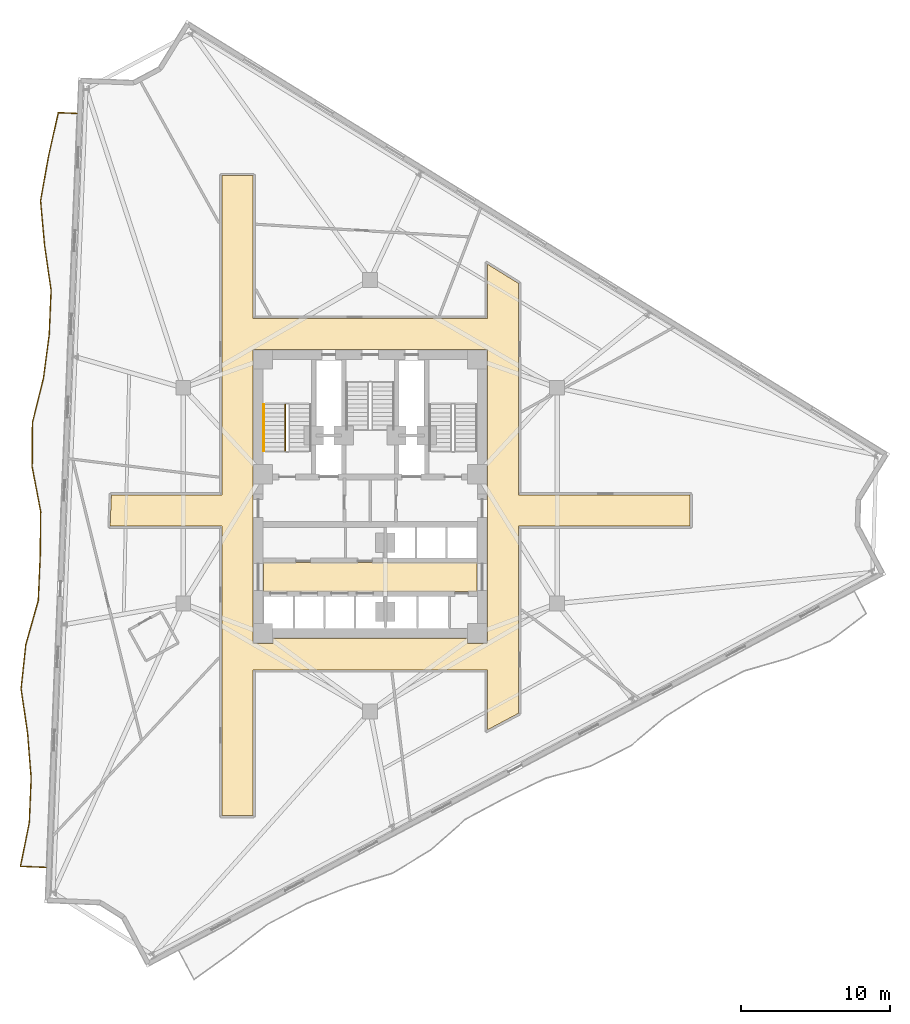
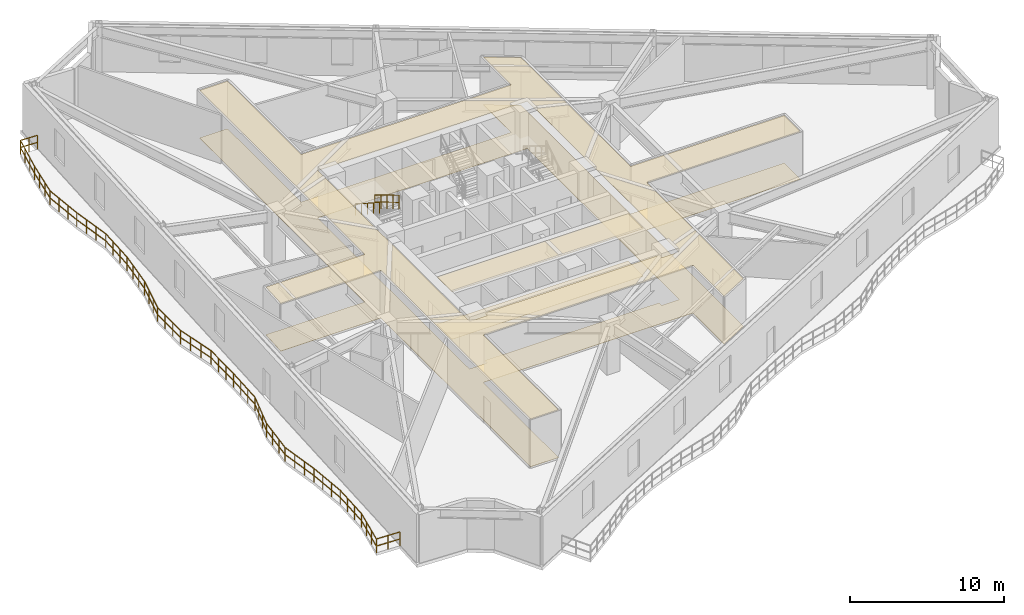
# One storey, part 10 of 11: 4 coverings, 3 railings.
"""IFC4 building model written with IfcOpenShell, lengths in metres."""

from ifc_helpers import new_model, si_unit, direction, frame, origin, origin_2d, place, context, subcontext, project, spatial, polyline, rectangle, outline, extrude, material, layer, layer_set, type_object, element, save


model = new_model("IFC4")

# Units and contexts
model_context = context("Model", 3, precision=1e-05, world=origin(), true_north=direction((0.0, 1.0)))
body_context = subcontext(model_context, "Body", "Model", "MODEL_VIEW")
ifc_project = project(units=[si_unit("LENGTHUNIT", "METRE"), si_unit("AREAUNIT", "SQUARE_METRE"), si_unit("VOLUMEUNIT", "CUBIC_METRE"), si_unit("PLANEANGLEUNIT", "RADIAN"), si_unit("MASSUNIT", "GRAM", prefix="KILO")], contexts=[model_context])

# Site, building, storey
site_placement = place(None, origin())
site = spatial("IfcSite", under=ifc_project, at=site_placement, CompositionType="ELEMENT")
building_placement = place(site_placement, origin())
building = spatial("IfcBuilding", under=site, at=building_placement, Name="Apsidion Concourse Tower", CompositionType="ELEMENT")
storey_placement = place(building_placement, frame((0.0, 0.0, 169.60009765625)))
storey = spatial("IfcBuildingStorey", under=building, at=storey_placement, Name="L39", CompositionType="ELEMENT", Elevation=169.60009765625)

# Coverings
ifc_material_1 = material(Name="Acoustic mineral fibre ceiling")
ifc_layer_1 = layer(ifc_material_1, 0.0400390625)
ifc_layer_set_1 = layer_set([ifc_layer_1], Name="Acoustic mineral fibre ceiling")
covering_type_1 = type_object("IfcCoveringType", Name="COV-CEIL-40", PredefinedType="CEILING", material=ifc_layer_set_1)
covering_1_placement = place(storey_placement, frame((0.0, 0.0, 3.75)))
element("IfcCovering", 1, at=covering_1_placement, inside=storey, type_object=covering_type_1, Name="L39 Acoustic Ceiling Grid 1", PredefinedType="CEILING", context=body_context, shape_type="SweptSolid", body=[
    extrude(outline(polyline([(-7.179931640625, -6.449951171875), (-7.179931640625, -4.47998046875), (7.179931640625, -4.47998046875), (7.179931640625, -6.449951171875), (-7.179931640625, -6.449951171875)])), origin(), (0.0, 0.0, 1.0), 0.039794921875),
])
covering_2_placement = place(storey_placement, frame((0.0, 0.0, 3.75)))
element("IfcCovering", 2, at=covering_2_placement, inside=storey, type_object=covering_type_1, Name="L39 Acoustic Ceiling Grid 2", PredefinedType="CEILING", context=body_context, shape_type="SweptSolid", body=[
    extrude(outline(polyline([(9.969970703125, -14.620849609375), (7.8701171875, -15.7373046875), (7.8701171875, -11.695068359375), (-7.8701171875, -11.695068359375), (-7.8701171875, -21.5), (-9.969970703125, -21.5), (-9.969970703125, -11.695068359375), (-9.969970703125, -2.050048828125), (-17.47314453125, -2.050048828125), (-17.387451171875, 0.050048828125), (-9.969970703125, 0.050048828125), (-9.969970703125, 11.919921875), (-9.969970703125, 21.5), (-7.8701171875, 21.5), (-7.8701171875, 11.919921875), (7.8701171875, 11.919921875), (7.8701171875, 15.559814453125), (9.969970703125, 14.264892578125), (9.969970703125, 11.919921875), (9.969970703125, 0.050048828125), (21.5, 0.050048828125), (21.5, -2.050048828125), (9.969970703125, -2.050048828125), (9.969970703125, -11.695068359375), (9.969970703125, -14.620849609375)]), holes=[polyline([(7.8701171875, -8.60009765625), (7.8701171875, -2.050048828125), (7.8701171875, 0.050048828125), (7.8701171875, 0.800048828125), (7.8701171875, 2.10009765625), (7.8701171875, 8.5), (7.8701171875, 9.800048828125), (7.8701171875, 9.820068359375), (7.85009765625, 9.820068359375), (6.550048828125, 9.820068359375), (-6.550048828125, 9.820068359375), (-7.85009765625, 9.820068359375), (-7.8701171875, 9.820068359375), (-7.8701171875, 9.800048828125), (-7.8701171875, 8.5), (-7.8701171875, 2.10009765625), (-7.8701171875, 0.800048828125), (-7.8701171875, 0.050048828125), (-7.8701171875, -2.050048828125), (-7.8701171875, -8.60009765625), (-7.8701171875, -9.594970703125), (-7.8701171875, -9.89990234375), (-7.869873046875, -9.902099609375), (-7.86962890625, -9.90380859375), (-7.869140625, -9.90576171875), (-7.868408203125, -9.90771484375), (-7.86767578125, -9.909423828125), (-7.86669921875, -9.9111328125), (-7.865478515625, -9.91259765625), (-7.864013671875, -9.9140625), (-7.86279296875, -9.91552734375), (-7.861083984375, -9.91650390625), (-7.859375, -9.91748046875), (-7.857666015625, -9.91845703125), (-7.855712890625, -9.919189453125), (-7.85400390625, -9.919677734375), (-7.85205078125, -9.919921875), (-7.85009765625, -9.919921875), (-6.550048828125, -9.919921875), (-6.548095703125, -9.919921875), (-6.546142578125, -9.919677734375), (-6.544189453125, -9.919189453125), (-6.542236328125, -9.91845703125), (-6.54052734375, -9.91748046875), (-6.538818359375, -9.91650390625), (-6.537353515625, -9.91552734375), (-6.535888671875, -9.9140625), (-6.534423828125, -9.91259765625), (-6.533447265625, -9.9111328125), (-6.532470703125, -9.909423828125), (-6.531494140625, -9.90771484375), (-6.531005859375, -9.90576171875), (-6.530517578125, -9.90380859375), (-6.530029296875, -9.902099609375), (-6.530029296875, -9.89990234375), (-6.530029296875, -9.594970703125), (6.530029296875, -9.594970703125), (6.530029296875, -9.89990234375), (6.530029296875, -9.902099609375), (6.530517578125, -9.90380859375), (6.531005859375, -9.90576171875), (6.531494140625, -9.90771484375), (6.532470703125, -9.909423828125), (6.533447265625, -9.9111328125), (6.534423828125, -9.91259765625), (6.535888671875, -9.9140625), (6.537353515625, -9.91552734375), (6.538818359375, -9.91650390625), (6.54052734375, -9.91748046875), (6.542236328125, -9.91845703125), (6.544189453125, -9.919189453125), (6.546142578125, -9.919677734375), (6.548095703125, -9.919921875), (6.550048828125, -9.919921875), (7.85009765625, -9.919921875), (7.85205078125, -9.919921875), (7.85400390625, -9.919677734375), (7.855712890625, -9.919189453125), (7.857666015625, -9.91845703125), (7.859375, -9.91748046875), (7.861083984375, -9.91650390625), (7.86279296875, -9.91552734375), (7.864013671875, -9.9140625), (7.865478515625, -9.91259765625), (7.86669921875, -9.9111328125), (7.86767578125, -9.909423828125), (7.868408203125, -9.90771484375), (7.869140625, -9.90576171875), (7.86962890625, -9.90380859375), (7.869873046875, -9.902099609375), (7.8701171875, -9.89990234375), (7.8701171875, -9.594970703125), (7.8701171875, -8.60009765625)])]), origin(), (0.0, 0.0, 1.0), 0.039794921875),
])
ifc_material_2 = material(Name="Honed travertine floor finish", Category="masonry")
ifc_layer_2 = layer(ifc_material_2, 0.02001953125)
ifc_layer_set_2 = layer_set([ifc_layer_2], Name="Honed travertine floor finish")
covering_type_2 = type_object("IfcCoveringType", Name="COV-FLOR-20", PredefinedType="FLOORING", material=ifc_layer_set_2)
covering_3_placement = place(storey_placement, origin())
element("IfcCovering", 3, at=covering_3_placement, inside=storey, type_object=covering_type_2, Name="L39 Honed Travertine Floor Finish 1", PredefinedType="FLOORING", context=body_context, shape_type="SweptSolid", body=[
    extrude(outline(polyline([(-7.179931640625, -6.449951171875), (-7.179931640625, -4.47998046875), (7.179931640625, -4.47998046875), (7.179931640625, -6.449951171875), (-7.179931640625, -6.449951171875)])), origin(), (0.0, 0.0, 1.0), 0.02001953125),
])
covering_4_placement = place(storey_placement, origin())
element("IfcCovering", 4, at=covering_4_placement, inside=storey, type_object=covering_type_2, Name="L39 Honed Travertine Floor Finish 2", PredefinedType="FLOORING", context=body_context, shape_type="SweptSolid", body=[
    extrude(outline(polyline([(9.969970703125, -14.620849609375), (7.8701171875, -15.7373046875), (7.8701171875, -11.695068359375), (-7.8701171875, -11.695068359375), (-7.8701171875, -21.5), (-9.969970703125, -21.5), (-9.969970703125, -11.695068359375), (-9.969970703125, -2.050048828125), (-17.47314453125, -2.050048828125), (-17.387451171875, 0.050048828125), (-9.969970703125, 0.050048828125), (-9.969970703125, 11.919921875), (-9.969970703125, 21.5), (-7.8701171875, 21.5), (-7.8701171875, 11.919921875), (7.8701171875, 11.919921875), (7.8701171875, 15.559814453125), (9.969970703125, 14.264892578125), (9.969970703125, 11.919921875), (9.969970703125, 0.050048828125), (21.5, 0.050048828125), (21.5, -2.050048828125), (9.969970703125, -2.050048828125), (9.969970703125, -11.695068359375), (9.969970703125, -14.620849609375)]), holes=[polyline([(7.8701171875, -8.60009765625), (7.8701171875, -2.050048828125), (7.8701171875, 0.050048828125), (7.8701171875, 0.800048828125), (7.8701171875, 2.10009765625), (7.8701171875, 8.5), (7.8701171875, 9.800048828125), (7.8701171875, 9.820068359375), (7.85009765625, 9.820068359375), (6.550048828125, 9.820068359375), (-6.550048828125, 9.820068359375), (-7.85009765625, 9.820068359375), (-7.8701171875, 9.820068359375), (-7.8701171875, 9.800048828125), (-7.8701171875, 8.5), (-7.8701171875, 2.10009765625), (-7.8701171875, 0.800048828125), (-7.8701171875, 0.050048828125), (-7.8701171875, -2.050048828125), (-7.8701171875, -8.60009765625), (-7.8701171875, -9.594970703125), (-7.8701171875, -9.89990234375), (-7.869873046875, -9.902099609375), (-7.86962890625, -9.90380859375), (-7.869140625, -9.90576171875), (-7.868408203125, -9.90771484375), (-7.86767578125, -9.909423828125), (-7.86669921875, -9.9111328125), (-7.865478515625, -9.91259765625), (-7.864013671875, -9.9140625), (-7.86279296875, -9.91552734375), (-7.861083984375, -9.91650390625), (-7.859375, -9.91748046875), (-7.857666015625, -9.91845703125), (-7.855712890625, -9.919189453125), (-7.85400390625, -9.919677734375), (-7.85205078125, -9.919921875), (-7.85009765625, -9.919921875), (-6.550048828125, -9.919921875), (-6.548095703125, -9.919921875), (-6.546142578125, -9.919677734375), (-6.544189453125, -9.919189453125), (-6.542236328125, -9.91845703125), (-6.54052734375, -9.91748046875), (-6.538818359375, -9.91650390625), (-6.537353515625, -9.91552734375), (-6.535888671875, -9.9140625), (-6.534423828125, -9.91259765625), (-6.533447265625, -9.9111328125), (-6.532470703125, -9.909423828125), (-6.531494140625, -9.90771484375), (-6.531005859375, -9.90576171875), (-6.530517578125, -9.90380859375), (-6.530029296875, -9.902099609375), (-6.530029296875, -9.89990234375), (-6.530029296875, -9.594970703125), (6.530029296875, -9.594970703125), (6.530029296875, -9.89990234375), (6.530029296875, -9.902099609375), (6.530517578125, -9.90380859375), (6.531005859375, -9.90576171875), (6.531494140625, -9.90771484375), (6.532470703125, -9.909423828125), (6.533447265625, -9.9111328125), (6.534423828125, -9.91259765625), (6.535888671875, -9.9140625), (6.537353515625, -9.91552734375), (6.538818359375, -9.91650390625), (6.54052734375, -9.91748046875), (6.542236328125, -9.91845703125), (6.544189453125, -9.919189453125), (6.546142578125, -9.919677734375), (6.548095703125, -9.919921875), (6.550048828125, -9.919921875), (7.85009765625, -9.919921875), (7.85205078125, -9.919921875), (7.85400390625, -9.919677734375), (7.855712890625, -9.919189453125), (7.857666015625, -9.91845703125), (7.859375, -9.91748046875), (7.861083984375, -9.91650390625), (7.86279296875, -9.91552734375), (7.864013671875, -9.9140625), (7.865478515625, -9.91259765625), (7.86669921875, -9.9111328125), (7.86767578125, -9.909423828125), (7.868408203125, -9.90771484375), (7.869140625, -9.90576171875), (7.86962890625, -9.90380859375), (7.869873046875, -9.902099609375), (7.8701171875, -9.89990234375), (7.8701171875, -9.594970703125), (7.8701171875, -8.60009765625)])]), origin(), (0.0, 0.0, 1.0), 0.02001953125),
])

# Railings
ifc_material_3 = material(Name="Brushed stainless steel 316", Category="steel")
railing_type_1 = type_object("IfcRailingType", Name="RL-BAL-1120", PredefinedType="BALUSTRADE", material=ifc_material_3)
railing_1_placement = place(storey_placement, frame((-21.777587890625, -24.97802734375, 0.0)))
element("IfcRailing", 5, at=railing_1_placement, inside=storey, type_object=railing_type_1, Name="L39 Face 1 Rippling Balcony Balustrade", PredefinedType="BALUSTRADE", context=body_context, shape_type="SweptSolid", body=[
    extrude(rectangle(XDim=0.048095703125, YDim=0.048095703125, at=origin_2d()), frame((0.0, 0.0, 1.09619140625), z_axis=(-0.999166760728, 0.040814020332, 0.0), x_axis=(-0.040814020332, -0.999166760728, 0.0)), (0.0, 0.0, 1.0), 1.728759765625),
    extrude(rectangle(XDim=0.048095703125, YDim=0.048095703125, at=origin_2d()), frame((0.0, 0.0, 0.5361328125), z_axis=(-0.999166760728, 0.040814020332, 0.0), x_axis=(-0.040814020332, -0.999166760728, 0.0)), (0.0, 0.0, 1.0), 1.728759765625),
    extrude(rectangle(XDim=0.048095703125, YDim=0.048095703125, at=origin_2d()), frame((-1.727294921875, 0.070556640625, 1.09619140625), z_axis=(0.198633057408, 0.980073930122, 0.0), x_axis=(-0.980073930122, 0.198633057408, 0.0)), (0.0, 0.0, 1.0), 3.021240234375),
    extrude(rectangle(XDim=0.048095703125, YDim=0.048095703125, at=origin_2d()), frame((-1.727294921875, 0.070556640625, 0.5361328125), z_axis=(0.198633057408, 0.980073930122, 0.0), x_axis=(-0.980073930122, 0.198633057408, 0.0)), (0.0, 0.0, 1.0), 3.021240234375),
    extrude(rectangle(XDim=0.048095703125, YDim=0.048095703125, at=origin_2d()), frame((-1.127197265625, 3.031494140625, 1.09619140625), z_axis=(0.040840733039, 0.999165669209, 0.0), x_axis=(-0.999165669209, 0.040840733039, 0.0)), (0.0, 0.0, 1.0), 2.98291015625),
    extrude(rectangle(XDim=0.048095703125, YDim=0.048095703125, at=origin_2d()), frame((-1.127197265625, 3.031494140625, 0.5361328125), z_axis=(0.040840733039, 0.999165669209, 0.0), x_axis=(-0.999165669209, 0.040840733039, 0.0)), (0.0, 0.0, 1.0), 2.98291015625),
    extrude(rectangle(XDim=0.048095703125, YDim=0.048095703125, at=origin_2d()), frame((-1.00537109375, 6.011962890625, 1.09619140625), z_axis=(-0.07946747921, 0.996837459041, 0.0), x_axis=(-0.996837459041, -0.07946747921, 0.0)), (0.0, 0.0, 1.0), 3.004638671875),
    extrude(rectangle(XDim=0.048095703125, YDim=0.048095703125, at=origin_2d()), frame((-1.00537109375, 6.011962890625, 0.5361328125), z_axis=(-0.07946747921, 0.996837459041, 0.0), x_axis=(-0.996837459041, -0.07946747921, 0.0)), (0.0, 0.0, 1.0), 3.004638671875),
    extrude(rectangle(XDim=0.048095703125, YDim=0.048095703125, at=origin_2d()), frame((-1.244140625, 9.007080078125, 1.09619140625), z_axis=(-0.14390976799, 0.989590813759, 0.0), x_axis=(-0.989590813759, -0.14390976799, 0.0)), (0.0, 0.0, 1.0), 3.034912109375),
    extrude(rectangle(XDim=0.048095703125, YDim=0.048095703125, at=origin_2d()), frame((-1.244140625, 9.007080078125, 0.5361328125), z_axis=(-0.14390976799, 0.989590813759, 0.0), x_axis=(-0.989590813759, -0.14390976799, 0.0)), (0.0, 0.0, 1.0), 3.034912109375),
    extrude(rectangle(XDim=0.048095703125, YDim=0.048095703125, at=origin_2d()), frame((-1.680908203125, 12.010498046875, 1.09619140625), z_axis=(0.107060780142, 0.994252477671, 0.0), x_axis=(-0.994252477671, 0.107060780142, 0.0)), (0.0, 0.0, 1.0), 2.989501953125),
    extrude(rectangle(XDim=0.048095703125, YDim=0.048095703125, at=origin_2d()), frame((-1.680908203125, 12.010498046875, 0.5361328125), z_axis=(0.107060780142, 0.994252477671, 0.0), x_axis=(-0.994252477671, 0.107060780142, 0.0)), (0.0, 0.0, 1.0), 2.989501953125),
    extrude(rectangle(XDim=0.048095703125, YDim=0.048095703125, at=origin_2d()), frame((-1.36083984375, 14.98291015625, 1.09619140625), z_axis=(0.272144481349, 0.962256401003, 0.0), x_axis=(-0.962256401003, 0.272144481349, 0.0)), (0.0, 0.0, 1.0), 3.067138671875),
    extrude(rectangle(XDim=0.048095703125, YDim=0.048095703125, at=origin_2d()), frame((-1.36083984375, 14.98291015625, 0.5361328125), z_axis=(0.272144481349, 0.962256401003, 0.0), x_axis=(-0.962256401003, 0.272144481349, 0.0)), (0.0, 0.0, 1.0), 3.067138671875),
    extrude(rectangle(XDim=0.048095703125, YDim=0.048095703125, at=origin_2d()), frame((-0.526123046875, 17.934326171875, 1.09619140625), z_axis=(0.043380392649, 0.999058627676, 0.0), x_axis=(-0.999058627676, 0.043380392649, 0.0)), (0.0, 0.0, 1.0), 2.98291015625),
    extrude(rectangle(XDim=0.048095703125, YDim=0.048095703125, at=origin_2d()), frame((-0.526123046875, 17.934326171875, 0.5361328125), z_axis=(0.043380392649, 0.999058627676, 0.0), x_axis=(-0.999058627676, 0.043380392649, 0.0)), (0.0, 0.0, 1.0), 2.98291015625),
    extrude(rectangle(XDim=0.048095703125, YDim=0.048095703125, at=origin_2d()), frame((-0.396728515625, 20.914306640625, 1.09619140625), z_axis=(0.011371268343, 0.999935345038, 0.0), x_axis=(-0.999935345038, 0.011371268343, 0.0)), (0.0, 0.0, 1.0), 2.984375),
    extrude(rectangle(XDim=0.048095703125, YDim=0.048095703125, at=origin_2d()), frame((-0.396728515625, 20.914306640625, 0.5361328125), z_axis=(0.011371268343, 0.999935345038, 0.0), x_axis=(-0.999935345038, 0.011371268343, 0.0)), (0.0, 0.0, 1.0), 2.984375),
    extrude(rectangle(XDim=0.048095703125, YDim=0.048095703125, at=origin_2d()), frame((-0.36279296875, 23.8984375, 1.09619140625), z_axis=(-0.187156060867, 0.982330193408, 0.0), x_axis=(-0.982330193408, -0.187156060867, 0.0)), (0.0, 0.0, 1.0), 3.06298828125),
    extrude(rectangle(XDim=0.048095703125, YDim=0.048095703125, at=origin_2d()), frame((-0.36279296875, 23.8984375, 0.5361328125), z_axis=(-0.187156060867, 0.982330193408, 0.0), x_axis=(-0.982330193408, -0.187156060867, 0.0)), (0.0, 0.0, 1.0), 3.06298828125),
    extrude(rectangle(XDim=0.048095703125, YDim=0.048095703125, at=origin_2d()), frame((-0.93603515625, 26.9072265625, 1.09619140625), z_axis=(0.005725409184, 0.999983609711, 0.0), x_axis=(-0.999983609711, 0.005725409184, 0.0)), (0.0, 0.0, 1.0), 2.98486328125),
    extrude(rectangle(XDim=0.048095703125, YDim=0.048095703125, at=origin_2d()), frame((-0.93603515625, 26.9072265625, 0.5361328125), z_axis=(0.005725409184, 0.999983609711, 0.0), x_axis=(-0.999983609711, 0.005725409184, 0.0)), (0.0, 0.0, 1.0), 2.98486328125),
    extrude(rectangle(XDim=0.048095703125, YDim=0.048095703125, at=origin_2d()), frame((-0.9189453125, 29.89208984375, 1.09619140625), z_axis=(0.24153579714, 0.970391909849, 0.0), x_axis=(-0.970391909849, 0.24153579714, 0.0)), (0.0, 0.0, 1.0), 3.04541015625),
    extrude(rectangle(XDim=0.048095703125, YDim=0.048095703125, at=origin_2d()), frame((-0.9189453125, 29.89208984375, 0.5361328125), z_axis=(0.24153579714, 0.970391909849, 0.0), x_axis=(-0.970391909849, 0.24153579714, 0.0)), (0.0, 0.0, 1.0), 3.04541015625),
    extrude(rectangle(XDim=0.048095703125, YDim=0.048095703125, at=origin_2d()), frame((-0.183349609375, 32.847412109375, 1.09619140625), z_axis=(0.131944847382, 0.991257059117, 0.0), x_axis=(-0.991257059117, 0.131944847382, 0.0)), (0.0, 0.0, 1.0), 2.99560546875),
    extrude(rectangle(XDim=0.048095703125, YDim=0.048095703125, at=origin_2d()), frame((-0.183349609375, 32.847412109375, 0.5361328125), z_axis=(0.131944847382, 0.991257059117, 0.0), x_axis=(-0.991257059117, 0.131944847382, 0.0)), (0.0, 0.0, 1.0), 2.99560546875),
    extrude(rectangle(XDim=0.048095703125, YDim=0.048095703125, at=origin_2d()), frame((0.2119140625, 35.81689453125, 1.09619140625), z_axis=(0.040840733039, 0.999165669209, 0.0), x_axis=(-0.999165669209, 0.040840733039, 0.0)), (0.0, 0.0, 1.0), 2.98291015625),
    extrude(rectangle(XDim=0.048095703125, YDim=0.048095703125, at=origin_2d()), frame((0.2119140625, 35.81689453125, 0.5361328125), z_axis=(0.040840733039, 0.999165669209, 0.0), x_axis=(-0.999165669209, 0.040840733039, 0.0)), (0.0, 0.0, 1.0), 2.98291015625),
    extrude(rectangle(XDim=0.048095703125, YDim=0.048095703125, at=origin_2d()), frame((0.333740234375, 38.79736328125, 1.09619140625), z_axis=(-0.14447262822, 0.989508797179, 0.0), x_axis=(-0.989508797179, -0.14447262822, 0.0)), (0.0, 0.0, 1.0), 3.034912109375),
    extrude(rectangle(XDim=0.048095703125, YDim=0.048095703125, at=origin_2d()), frame((0.333740234375, 38.79736328125, 0.5361328125), z_axis=(-0.14447262822, 0.989508797179, 0.0), x_axis=(-0.989508797179, -0.14447262822, 0.0)), (0.0, 0.0, 1.0), 3.034912109375),
    extrude(rectangle(XDim=0.048095703125, YDim=0.048095703125, at=origin_2d()), frame((-0.104736328125, 41.800537109375, 1.09619140625), z_axis=(-0.088779543946, 0.996051300173, 0.0), x_axis=(-0.996051300173, -0.088779543946, 0.0)), (0.0, 0.0, 1.0), 3.008544921875),
    extrude(rectangle(XDim=0.048095703125, YDim=0.048095703125, at=origin_2d()), frame((-0.104736328125, 41.800537109375, 0.5361328125), z_axis=(-0.088779543946, 0.996051300173, 0.0), x_axis=(-0.996051300173, -0.088779543946, 0.0)), (0.0, 0.0, 1.0), 3.008544921875),
    extrude(rectangle(XDim=0.048095703125, YDim=0.048095703125, at=origin_2d()), frame((-0.371826171875, 44.797119140625, 1.09619140625), z_axis=(0.174937245939, 0.984579585398, 0.0), x_axis=(-0.984579585398, 0.174937245939, 0.0)), (0.0, 0.0, 1.0), 3.01025390625),
    extrude(rectangle(XDim=0.048095703125, YDim=0.048095703125, at=origin_2d()), frame((-0.371826171875, 44.797119140625, 0.5361328125), z_axis=(0.174937245939, 0.984579585398, 0.0), x_axis=(-0.984579585398, 0.174937245939, 0.0)), (0.0, 0.0, 1.0), 3.01025390625),
    extrude(rectangle(XDim=0.048095703125, YDim=0.048095703125, at=origin_2d()), frame((0.15478515625, 47.760986328125, 1.09619140625), z_axis=(0.219640554859, 0.975580866285, 0.0), x_axis=(-0.975580866285, 0.219640554859, 0.0)), (0.0, 0.0, 1.0), 3.0322265625),
    extrude(rectangle(XDim=0.048095703125, YDim=0.048095703125, at=origin_2d()), frame((0.15478515625, 47.760986328125, 0.5361328125), z_axis=(0.219640554859, 0.975580866285, 0.0), x_axis=(-0.975580866285, 0.219640554859, 0.0)), (0.0, 0.0, 1.0), 3.0322265625),
    extrude(rectangle(XDim=0.048095703125, YDim=0.048095703125, at=origin_2d()), frame((0.82080078125, 50.71923828125, 1.09619140625), z_axis=(0.999166265244, -0.040826148472, 0.0), x_axis=(0.040826148472, 0.999166265244, 0.0)), (0.0, 0.0, 1.0), 1.249755859375),
    extrude(rectangle(XDim=0.048095703125, YDim=0.048095703125, at=origin_2d()), frame((0.82080078125, 50.71923828125, 0.5361328125), z_axis=(0.999166265244, -0.040826148472, 0.0), x_axis=(0.040826148472, 0.999166265244, 0.0)), (0.0, 0.0, 1.0), 1.249755859375),
    extrude(rectangle(XDim=0.0419921875, YDim=0.0419921875, at=origin_2d()), origin(), (0.0, 0.0, 1.0), 1.072021484375),
    extrude(rectangle(XDim=0.0419921875, YDim=0.0419921875, at=origin_2d()), frame((-0.86376953125, 0.03515625, 0.0)), (0.0, 0.0, 1.0), 1.072021484375),
    extrude(rectangle(XDim=0.0419921875, YDim=0.0419921875, at=origin_2d()), frame((-1.727294921875, 0.070556640625, 0.0)), (0.0, 0.0, 1.0), 1.072021484375),
    extrude(rectangle(XDim=0.0419921875, YDim=0.0419921875, at=origin_2d()), frame((-1.52734375, 1.0576171875, 0.0)), (0.0, 0.0, 1.0), 1.072021484375),
    extrude(rectangle(XDim=0.0419921875, YDim=0.0419921875, at=origin_2d()), frame((-1.3271484375, 2.04443359375, 0.0)), (0.0, 0.0, 1.0), 1.072021484375),
    extrude(rectangle(XDim=0.0419921875, YDim=0.0419921875, at=origin_2d()), frame((-1.127197265625, 3.031494140625, 0.0)), (0.0, 0.0, 1.0), 1.072021484375),
    extrude(rectangle(XDim=0.0419921875, YDim=0.0419921875, at=origin_2d()), frame((-1.086669921875, 4.02490234375, 0.0)), (0.0, 0.0, 1.0), 1.072021484375),
    extrude(rectangle(XDim=0.0419921875, YDim=0.0419921875, at=origin_2d()), frame((-1.0458984375, 5.0185546875, 0.0)), (0.0, 0.0, 1.0), 1.072021484375),
    extrude(rectangle(XDim=0.0419921875, YDim=0.0419921875, at=origin_2d()), frame((-1.00537109375, 6.011962890625, 0.0)), (0.0, 0.0, 1.0), 1.072021484375),
    extrude(rectangle(XDim=0.0419921875, YDim=0.0419921875, at=origin_2d()), frame((-1.0849609375, 7.01025390625, 0.0)), (0.0, 0.0, 1.0), 1.072021484375),
    extrude(rectangle(XDim=0.0419921875, YDim=0.0419921875, at=origin_2d()), frame((-1.16455078125, 8.0087890625, 0.0)), (0.0, 0.0, 1.0), 1.072021484375),
    extrude(rectangle(XDim=0.0419921875, YDim=0.0419921875, at=origin_2d()), frame((-1.244140625, 9.007080078125, 0.0)), (0.0, 0.0, 1.0), 1.072021484375),
    extrude(rectangle(XDim=0.0419921875, YDim=0.0419921875, at=origin_2d()), frame((-1.3896484375, 10.00830078125, 0.0)), (0.0, 0.0, 1.0), 1.072021484375),
    extrude(rectangle(XDim=0.0419921875, YDim=0.0419921875, at=origin_2d()), frame((-1.535400390625, 11.00927734375, 0.0)), (0.0, 0.0, 1.0), 1.072021484375),
    extrude(rectangle(XDim=0.0419921875, YDim=0.0419921875, at=origin_2d()), frame((-1.680908203125, 12.010498046875, 0.0)), (0.0, 0.0, 1.0), 1.072021484375),
    extrude(rectangle(XDim=0.0419921875, YDim=0.0419921875, at=origin_2d()), frame((-1.57421875, 13.001220703125, 0.0)), (0.0, 0.0, 1.0), 1.072021484375),
    extrude(rectangle(XDim=0.0419921875, YDim=0.0419921875, at=origin_2d()), frame((-1.467529296875, 13.9921875, 0.0)), (0.0, 0.0, 1.0), 1.072021484375),
    extrude(rectangle(XDim=0.0419921875, YDim=0.0419921875, at=origin_2d()), frame((-1.36083984375, 14.98291015625, 0.0)), (0.0, 0.0, 1.0), 1.072021484375),
    extrude(rectangle(XDim=0.0419921875, YDim=0.0419921875, at=origin_2d()), frame((-1.08251953125, 15.966796875, 0.0)), (0.0, 0.0, 1.0), 1.072021484375),
    extrude(rectangle(XDim=0.0419921875, YDim=0.0419921875, at=origin_2d()), frame((-0.804443359375, 16.950439453125, 0.0)), (0.0, 0.0, 1.0), 1.072021484375),
    extrude(rectangle(XDim=0.0419921875, YDim=0.0419921875, at=origin_2d()), frame((-0.526123046875, 17.934326171875, 0.0)), (0.0, 0.0, 1.0), 1.072021484375),
    extrude(rectangle(XDim=0.0419921875, YDim=0.0419921875, at=origin_2d()), frame((-0.48291015625, 18.927734375, 0.0)), (0.0, 0.0, 1.0), 1.072021484375),
    extrude(rectangle(XDim=0.0419921875, YDim=0.0419921875, at=origin_2d()), frame((-0.43994140625, 19.9208984375, 0.0)), (0.0, 0.0, 1.0), 1.072021484375),
    extrude(rectangle(XDim=0.0419921875, YDim=0.0419921875, at=origin_2d()), frame((-0.396728515625, 20.914306640625, 0.0)), (0.0, 0.0, 1.0), 1.072021484375),
    extrude(rectangle(XDim=0.0419921875, YDim=0.0419921875, at=origin_2d()), frame((-0.385498046875, 21.908935546875, 0.0)), (0.0, 0.0, 1.0), 1.072021484375),
    extrude(rectangle(XDim=0.0419921875, YDim=0.0419921875, at=origin_2d()), frame((-0.3740234375, 22.90380859375, 0.0)), (0.0, 0.0, 1.0), 1.072021484375),
    extrude(rectangle(XDim=0.0419921875, YDim=0.0419921875, at=origin_2d()), frame((-0.36279296875, 23.8984375, 0.0)), (0.0, 0.0, 1.0), 1.072021484375),
    extrude(rectangle(XDim=0.0419921875, YDim=0.0419921875, at=origin_2d()), frame((-0.553955078125, 24.9013671875, 0.0)), (0.0, 0.0, 1.0), 1.072021484375),
    extrude(rectangle(XDim=0.0419921875, YDim=0.0419921875, at=origin_2d()), frame((-0.744873046875, 25.904296875, 0.0)), (0.0, 0.0, 1.0), 1.072021484375),
    extrude(rectangle(XDim=0.0419921875, YDim=0.0419921875, at=origin_2d()), frame((-0.93603515625, 26.9072265625, 0.0)), (0.0, 0.0, 1.0), 1.072021484375),
    extrude(rectangle(XDim=0.0419921875, YDim=0.0419921875, at=origin_2d()), frame((-0.930419921875, 27.902099609375, 0.0)), (0.0, 0.0, 1.0), 1.072021484375),
    extrude(rectangle(XDim=0.0419921875, YDim=0.0419921875, at=origin_2d()), frame((-0.924560546875, 28.897216796875, 0.0)), (0.0, 0.0, 1.0), 1.072021484375),
    extrude(rectangle(XDim=0.0419921875, YDim=0.0419921875, at=origin_2d()), frame((-0.9189453125, 29.89208984375, 0.0)), (0.0, 0.0, 1.0), 1.072021484375),
    extrude(rectangle(XDim=0.0419921875, YDim=0.0419921875, at=origin_2d()), frame((-0.673828125, 30.877197265625, 0.0)), (0.0, 0.0, 1.0), 1.072021484375),
    extrude(rectangle(XDim=0.0419921875, YDim=0.0419921875, at=origin_2d()), frame((-0.428466796875, 31.8623046875, 0.0)), (0.0, 0.0, 1.0), 1.072021484375),
    extrude(rectangle(XDim=0.0419921875, YDim=0.0419921875, at=origin_2d()), frame((-0.183349609375, 32.847412109375, 0.0)), (0.0, 0.0, 1.0), 1.072021484375),
    extrude(rectangle(XDim=0.0419921875, YDim=0.0419921875, at=origin_2d()), frame((-0.051513671875, 33.837158203125, 0.0)), (0.0, 0.0, 1.0), 1.072021484375),
    extrude(rectangle(XDim=0.0419921875, YDim=0.0419921875, at=origin_2d()), frame((0.080078125, 34.8271484375, 0.0)), (0.0, 0.0, 1.0), 1.072021484375),
    extrude(rectangle(XDim=0.0419921875, YDim=0.0419921875, at=origin_2d()), frame((0.2119140625, 35.81689453125, 0.0)), (0.0, 0.0, 1.0), 1.072021484375),
    extrude(rectangle(XDim=0.0419921875, YDim=0.0419921875, at=origin_2d()), frame((0.25244140625, 36.810302734375, 0.0)), (0.0, 0.0, 1.0), 1.072021484375),
    extrude(rectangle(XDim=0.0419921875, YDim=0.0419921875, at=origin_2d()), frame((0.293212890625, 37.803955078125, 0.0)), (0.0, 0.0, 1.0), 1.072021484375),
    extrude(rectangle(XDim=0.0419921875, YDim=0.0419921875, at=origin_2d()), frame((0.333740234375, 38.79736328125, 0.0)), (0.0, 0.0, 1.0), 1.072021484375),
    extrude(rectangle(XDim=0.0419921875, YDim=0.0419921875, at=origin_2d()), frame((0.1875, 39.79833984375, 0.0)), (0.0, 0.0, 1.0), 1.072021484375),
    extrude(rectangle(XDim=0.0419921875, YDim=0.0419921875, at=origin_2d()), frame((0.04150390625, 40.799560546875, 0.0)), (0.0, 0.0, 1.0), 1.072021484375),
    extrude(rectangle(XDim=0.0419921875, YDim=0.0419921875, at=origin_2d()), frame((-0.104736328125, 41.800537109375, 0.0)), (0.0, 0.0, 1.0), 1.072021484375),
    extrude(rectangle(XDim=0.0419921875, YDim=0.0419921875, at=origin_2d()), frame((-0.19384765625, 42.79931640625, 0.0)), (0.0, 0.0, 1.0), 1.072021484375),
    extrude(rectangle(XDim=0.0419921875, YDim=0.0419921875, at=origin_2d()), frame((-0.28271484375, 43.79833984375, 0.0)), (0.0, 0.0, 1.0), 1.072021484375),
    extrude(rectangle(XDim=0.0419921875, YDim=0.0419921875, at=origin_2d()), frame((-0.371826171875, 44.797119140625, 0.0)), (0.0, 0.0, 1.0), 1.072021484375),
    extrude(rectangle(XDim=0.0419921875, YDim=0.0419921875, at=origin_2d()), frame((-0.1962890625, 45.78515625, 0.0)), (0.0, 0.0, 1.0), 1.072021484375),
    extrude(rectangle(XDim=0.0419921875, YDim=0.0419921875, at=origin_2d()), frame((-0.020751953125, 46.77294921875, 0.0)), (0.0, 0.0, 1.0), 1.072021484375),
    extrude(rectangle(XDim=0.0419921875, YDim=0.0419921875, at=origin_2d()), frame((0.15478515625, 47.760986328125, 0.0)), (0.0, 0.0, 1.0), 1.072021484375),
    extrude(rectangle(XDim=0.0419921875, YDim=0.0419921875, at=origin_2d()), frame((0.376708984375, 48.7470703125, 0.0)), (0.0, 0.0, 1.0), 1.072021484375),
    extrude(rectangle(XDim=0.0419921875, YDim=0.0419921875, at=origin_2d()), frame((0.598876953125, 49.733154296875, 0.0)), (0.0, 0.0, 1.0), 1.072021484375),
    extrude(rectangle(XDim=0.0419921875, YDim=0.0419921875, at=origin_2d()), frame((0.82080078125, 50.71923828125, 0.0)), (0.0, 0.0, 1.0), 1.072021484375),
    extrude(rectangle(XDim=0.0419921875, YDim=0.0419921875, at=origin_2d()), frame((1.4453125, 50.69384765625, 0.0)), (0.0, 0.0, 1.0), 1.072021484375),
    extrude(rectangle(XDim=0.0419921875, YDim=0.0419921875, at=origin_2d()), frame((2.069580078125, 50.668212890625, 0.0)), (0.0, 0.0, 1.0), 1.072021484375),
])
railing_type_2 = type_object("IfcRailingType", Name="RL-GUARD-1100", PredefinedType="GUARDRAIL", material=ifc_material_3)
railing_2_placement = place(storey_placement, frame((-5.699951171875, 6.135009765625, 2.220703125)))
element("IfcRailing", 6, at=railing_2_placement, inside=storey, type_object=railing_type_2, Name="L39 ST1 stair guard 3", PredefinedType="GUARDRAIL", context=body_context, shape_type="SweptSolid", body=[
    extrude(rectangle(XDim=0.048095703125, YDim=0.048095703125, at=origin_2d()), frame((0.0, 0.0, 1.09619140625), z_axis=(0.0, -0.857716804754, 0.514122439544), x_axis=(1.0, 0.0, 0.0)), (0.0, 0.0, 1.0), 3.655029296875),
    extrude(rectangle(XDim=0.048095703125, YDim=0.048095703125, at=origin_2d()), frame((0.0, 0.0, 0.5361328125), z_axis=(0.0, -0.857716804754, 0.514122439544), x_axis=(1.0, 0.0, 0.0)), (0.0, 0.0, 1.0), 3.655029296875),
    extrude(rectangle(XDim=0.0419921875, YDim=0.0419921875, at=origin_2d()), origin(), (0.0, 0.0, 1.0), 1.072021484375),
    extrude(rectangle(XDim=0.0419921875, YDim=0.0419921875, at=origin_2d()), frame((0.0, -0.78369140625, 0.4697265625)), (0.0, 0.0, 1.0), 1.072021484375),
    extrude(rectangle(XDim=0.0419921875, YDim=0.0419921875, at=origin_2d()), frame((0.0, -1.5673828125, 0.939453125)), (0.0, 0.0, 1.0), 1.072021484375),
    extrude(rectangle(XDim=0.0419921875, YDim=0.0419921875, at=origin_2d()), frame((0.0, -2.351318359375, 1.409423828125)), (0.0, 0.0, 1.0), 1.072021484375),
    extrude(rectangle(XDim=0.0419921875, YDim=0.0419921875, at=origin_2d()), frame((0.0, -3.135009765625, 1.879150390625)), (0.0, 0.0, 1.0), 1.072021484375),
])
railing_type_3 = type_object("IfcRailingType", Name="RL-HAND-900", PredefinedType="HANDRAIL", material=ifc_material_3)
railing_3_placement = place(storey_placement, frame((-7.14990234375, 6.135009765625, 2.220703125)))
element("IfcRailing", 7, at=railing_3_placement, inside=storey, type_object=railing_type_3, Name="L39 ST1 stair handrail 2", PredefinedType="HANDRAIL", context=body_context, shape_type="SweptSolid", body=[
    extrude(rectangle(XDim=0.048095703125, YDim=0.048095703125, at=origin_2d()), frame((0.0, 0.0, 0.8759765625), z_axis=(0.0, -0.836940907821, 0.547293263996), x_axis=(1.0, 0.0, 0.0)), (0.0, 0.0, 1.0), 3.745849609375),
    extrude(rectangle(XDim=0.0419921875, YDim=0.0419921875, at=origin_2d()), origin(), (0.0, 0.0, 1.0), 0.851806640625),
    extrude(rectangle(XDim=0.0419921875, YDim=0.0419921875, at=origin_2d()), frame((0.0, -0.78369140625, 0.512451171875)), (0.0, 0.0, 1.0), 0.851806640625),
    extrude(rectangle(XDim=0.0419921875, YDim=0.0419921875, at=origin_2d()), frame((0.0, -1.5673828125, 1.02490234375)), (0.0, 0.0, 1.0), 0.851806640625),
    extrude(rectangle(XDim=0.0419921875, YDim=0.0419921875, at=origin_2d()), frame((0.0, -2.351318359375, 1.53759765625)), (0.0, 0.0, 1.0), 0.851806640625),
    extrude(rectangle(XDim=0.0419921875, YDim=0.0419921875, at=origin_2d()), frame((0.0, -3.135009765625, 2.050048828125)), (0.0, 0.0, 1.0), 0.851806640625),
])

save(model, "model.ifc")
